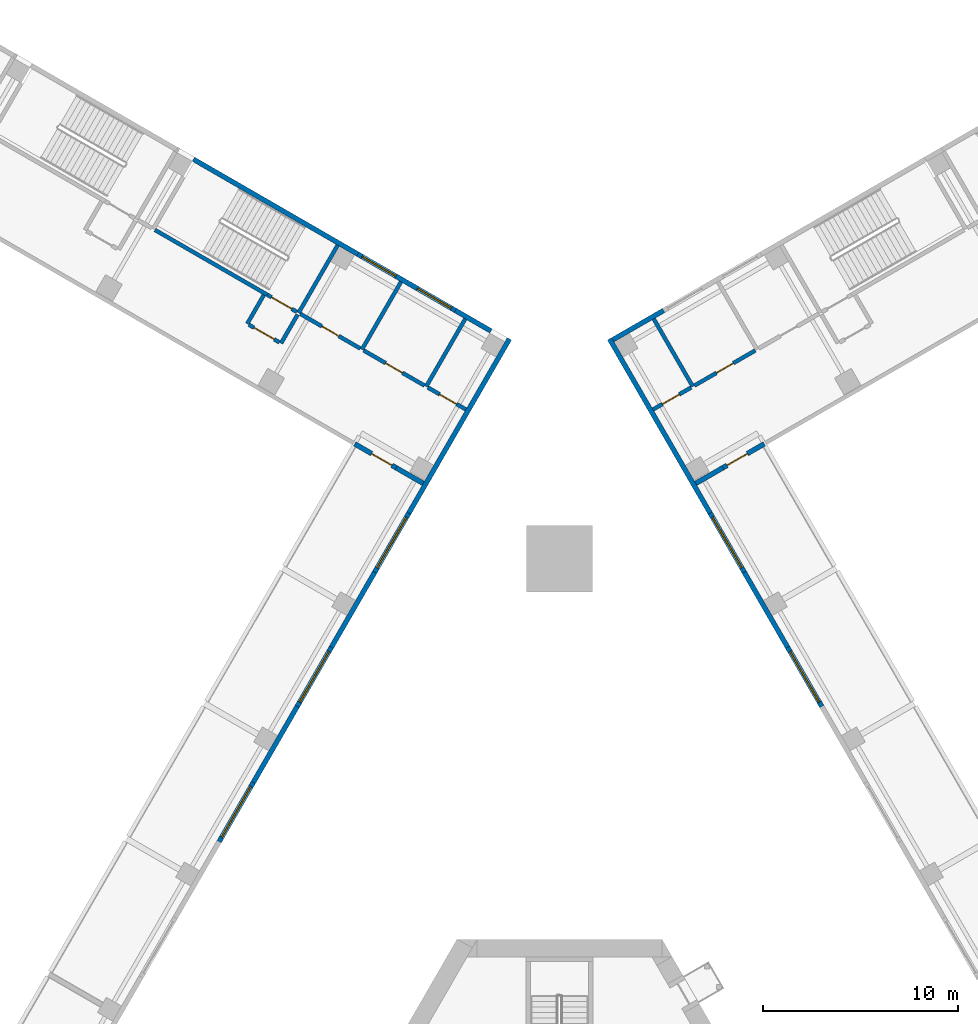
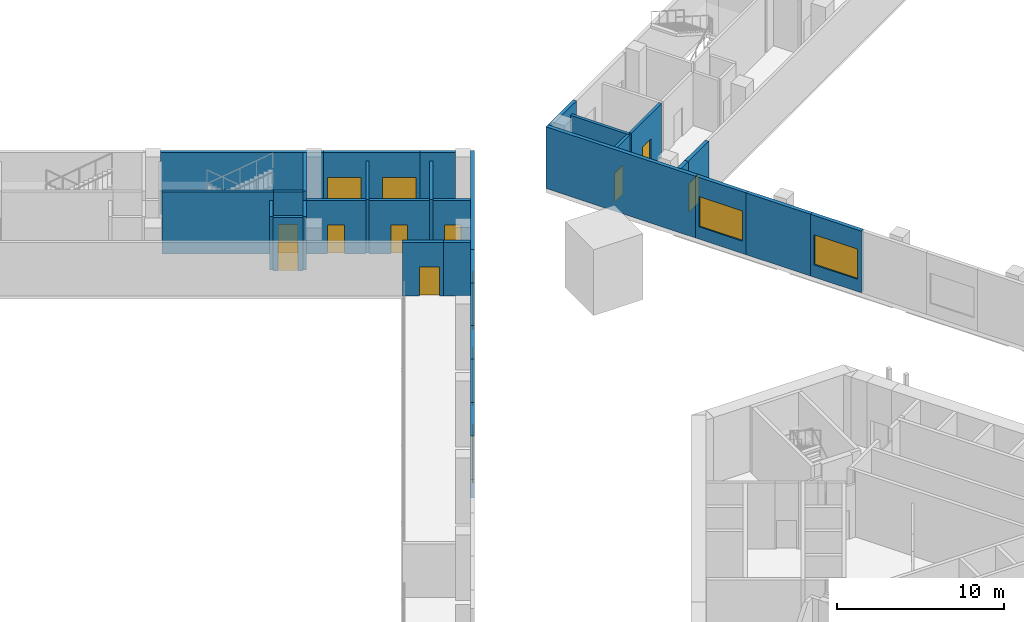
# One storey, part 14 of 28: 32 walls, 9 doors, 7 windows, 16 openings.
"""IFC4 building model written with IfcOpenShell, lengths in metres."""

from ifc_helpers import new_model, si_unit, direction, frame, frame_2d, origin, place, context, subcontext, project, spatial, rectangle, extrude, material, layer, layer_set, type_object, element, fill, save


model = new_model("IFC4")

# Units and contexts
model_context = context("Model", 3, precision=1e-05, world=origin(), true_north=direction((0.0, 1.0)))
body_context = subcontext(model_context, "Body", "Model", "MODEL_VIEW")
ifc_project = project(units=[si_unit("LENGTHUNIT", "METRE"), si_unit("AREAUNIT", "SQUARE_METRE"), si_unit("VOLUMEUNIT", "CUBIC_METRE"), si_unit("PLANEANGLEUNIT", "RADIAN"), si_unit("MASSUNIT", "GRAM", prefix="KILO")], contexts=[model_context])

# Site, building, storey
site_placement = place(None, origin())
site = spatial("IfcSite", under=ifc_project, at=site_placement, CompositionType="ELEMENT")
building_placement = place(site_placement, origin())
building = spatial("IfcBuilding", under=site, at=building_placement, Name="Mestral Congress Tower", CompositionType="ELEMENT")
storey_placement = place(building_placement, frame((0.0, 0.0, 11.39990234375)))
storey = spatial("IfcBuildingStorey", under=building, at=storey_placement, Name="L02", CompositionType="ELEMENT", Elevation=11.39990234375)

# Wall, opening, window
ifc_material_1 = material(Name="Precast concrete C40/50 with limestone facing", Category="masonry")
ifc_layer_1 = layer(ifc_material_1, 0.25)
ifc_layer_set_1 = layer_set([ifc_layer_1], Name="Precast concrete C40/50 with limestone facing")
wall_type_1 = type_object("IfcWallType", Name="Podium external wall 250", PredefinedType="SOLIDWALL", material=ifc_layer_set_1)
wall_1_placement = place(storey_placement, frame((13.4375, 28.83154296875, 0.0), z_axis=(0.0, 0.0, 1.0), x_axis=(-0.500010275428, 0.866019471182, 0.0)))
wall_1 = element("IfcWall", 1, at=wall_1_placement, inside=storey, type_object=wall_type_1, Name="L02 external wall", PredefinedType="SOLIDWALL", context=body_context, shape_type="SweptSolid", body=[
    extrude(rectangle(XDim=3.5, YDim=0.25, at=frame_2d((1.75, 0.0))), origin(), (0.0, 0.0, 1.0), 4.5),
])
opening_1_placement = place(wall_1_placement, frame((0.25, 0.0, 0.89990234375)))
opening_1 = element("IfcOpeningElement", 2, at=opening_1_placement, cuts=wall_1, Name="Opening PW-3000x2200", PredefinedType="OPENING", context=body_context, shape_type="SweptSolid", body=[
    extrude(rectangle(XDim=3.0, YDim=2.199951171875, at=frame_2d((1.5, 1.10009765625))), frame((0.0, 0.135009765625, 0.0), z_axis=(0.0, -1.0, 0.0), x_axis=(1.0, 0.0, 0.0)), (0.0, 0.0, 1.0), 0.27001953125),
])
ifc_material_2 = material(Name="Aluminium frame, clear double glazing", Category="aluminium")
window_type_1 = type_object("IfcWindowType", Name="Podium window 3000x2200 sill 900", PartitioningType="SINGLE_PANEL", PredefinedType="WINDOW", material=ifc_material_2)
window_1_placement = place(opening_1_placement, origin())
window_1 = element("IfcWindow", 3, at=window_1_placement, inside=storey, type_object=window_type_1, Name="Window", OverallHeight=2.199951171875, OverallWidth=3.0, PartitioningType="SINGLE_PANEL", PredefinedType="WINDOW", context=body_context, shape_type="SweptSolid", body=[
    extrude(rectangle(XDim=3.0, YDim=2.199951171875, at=frame_2d((1.5, 1.10009765625))), frame((0.0, 0.030029296875, 0.0), z_axis=(0.0, -1.0, 0.0), x_axis=(1.0, 0.0, 0.0)), (0.0, 0.0, 1.0), 0.06005859375),
])
fill(opening_1, window_1)

# Wall
wall_2_placement = place(storey_placement, frame((11.6875, 31.862548828125, 0.0), z_axis=(0.0, 0.0, 1.0), x_axis=(-0.499990705068, 0.866030770149, 0.0)))
element("IfcWall", 4, at=wall_2_placement, inside=storey, type_object=wall_type_1, Name="L02 external wall", PredefinedType="SOLIDWALL", context=body_context, shape_type="SweptSolid", body=[
    extrude(rectangle(XDim=4.43798828125, YDim=0.25, at=frame_2d((2.218994140625, 0.0))), origin(), (0.0, 0.0, 1.0), 4.5),
])

# Wall, opening, window
wall_3_placement = place(storey_placement, frame((9.468505859375, 35.7060546875, 0.0), z_axis=(0.0, 0.0, 1.0), x_axis=(-0.500010275428, 0.866019471182, 0.0)))
wall_3 = element("IfcWall", 5, at=wall_3_placement, inside=storey, type_object=wall_type_1, Name="L02 external wall", PredefinedType="SOLIDWALL", context=body_context, shape_type="SweptSolid", body=[
    extrude(rectangle(XDim=3.5, YDim=0.25, at=frame_2d((1.75, 0.0))), origin(), (0.0, 0.0, 1.0), 4.5),
])
opening_2_placement = place(wall_3_placement, frame((0.25, 0.0, 0.89990234375)))
opening_2 = element("IfcOpeningElement", 6, at=opening_2_placement, cuts=wall_3, Name="Opening PW-3000x2200", PredefinedType="OPENING", context=body_context, shape_type="SweptSolid", body=[
    extrude(rectangle(XDim=3.0, YDim=2.199951171875, at=frame_2d((1.5, 1.10009765625))), frame((0.0, 0.135009765625, 0.0), z_axis=(0.0, -1.0, 0.0), x_axis=(1.0, 0.0, 0.0)), (0.0, 0.0, 1.0), 0.27001953125),
])
window_2_placement = place(opening_2_placement, origin())
window_2 = element("IfcWindow", 7, at=window_2_placement, inside=storey, type_object=window_type_1, Name="Window", OverallHeight=2.199951171875, OverallWidth=3.0, PartitioningType="SINGLE_PANEL", PredefinedType="WINDOW", context=body_context, shape_type="SweptSolid", body=[
    extrude(rectangle(XDim=3.0, YDim=2.199951171875, at=frame_2d((1.5, 1.10009765625))), frame((0.0, 0.030029296875, 0.0), z_axis=(0.0, -1.0, 0.0), x_axis=(1.0, 0.0, 0.0)), (0.0, 0.0, 1.0), 0.06005859375),
])
fill(opening_2, window_2)

# Walls
wall_4_placement = place(storey_placement, frame((7.718505859375, 38.737060546875, 0.0), z_axis=(0.0, 0.0, 1.0), x_axis=(-0.500001855621, 0.866024332438, 0.0)))
element("IfcWall", 8, at=wall_4_placement, inside=storey, type_object=wall_type_1, Name="L02 external wall", PredefinedType="SOLIDWALL", context=body_context, shape_type="SweptSolid", body=[
    extrude(rectangle(XDim=10.31201171875, YDim=0.25, at=frame_2d((5.156005859375, 0.0))), origin(), (0.0, 0.0, 1.0), 4.5),
])
wall_5_placement = place(storey_placement, frame((2.7333984375, 47.621826171875, 0.0), z_axis=(0.0, 0.0, 1.0), x_axis=(0.866010750942, 0.50002537861, 0.0)))
element("IfcWall", 9, at=wall_5_placement, inside=storey, type_object=wall_type_1, Name="L02 external wall", PredefinedType="SOLIDWALL", context=body_context, shape_type="SweptSolid", body=[
    extrude(rectangle(XDim=2.999755859375, YDim=0.25, at=frame_2d((1.5, 0.0))), origin(), (0.0, 0.0, 1.0), 4.5),
])
wall_6_placement = place(storey_placement, frame((-2.5625, 47.66748046875, 0.0), z_axis=(0.0, 0.0, 1.0), x_axis=(-0.500001855621, -0.866024332438, 0.0)))
element("IfcWall", 10, at=wall_6_placement, inside=storey, type_object=wall_type_1, Name="L02 external wall", PredefinedType="SOLIDWALL", context=body_context, shape_type="SweptSolid", body=[
    extrude(rectangle(XDim=10.31201171875, YDim=0.25, at=frame_2d((5.156005859375, 0.0))), origin(), (0.0, 0.0, 1.0), 4.5),
])

# Wall, opening, window
wall_7_placement = place(storey_placement, frame((-7.718505859375, 38.737060546875, 0.0), z_axis=(0.0, 0.0, 1.0), x_axis=(-0.500010275428, -0.866019471182, 0.0)))
wall_7 = element("IfcWall", 11, at=wall_7_placement, inside=storey, type_object=wall_type_1, Name="L02 external wall", PredefinedType="SOLIDWALL", context=body_context, shape_type="SweptSolid", body=[
    extrude(rectangle(XDim=3.5, YDim=0.25, at=frame_2d((1.75, 0.0))), origin(), (0.0, 0.0, 1.0), 4.5),
])
opening_3_placement = place(wall_7_placement, frame((0.25, 0.0, 0.89990234375)))
opening_3 = element("IfcOpeningElement", 12, at=opening_3_placement, cuts=wall_7, Name="Opening PW-3000x2200", PredefinedType="OPENING", context=body_context, shape_type="SweptSolid", body=[
    extrude(rectangle(XDim=3.0, YDim=2.199951171875, at=frame_2d((1.5, 1.10009765625))), frame((0.0, 0.135009765625, 0.0), z_axis=(0.0, -1.0, 0.0), x_axis=(1.0, 0.0, 0.0)), (0.0, 0.0, 1.0), 0.27001953125),
])
window_3_placement = place(opening_3_placement, origin())
window_3 = element("IfcWindow", 13, at=window_3_placement, inside=storey, type_object=window_type_1, Name="Window", OverallHeight=2.199951171875, OverallWidth=3.0, PartitioningType="SINGLE_PANEL", PredefinedType="WINDOW", context=body_context, shape_type="SweptSolid", body=[
    extrude(rectangle(XDim=3.0, YDim=2.199951171875, at=frame_2d((1.5, 1.10009765625))), frame((0.0, 0.030029296875, 0.0), z_axis=(0.0, -1.0, 0.0), x_axis=(1.0, 0.0, 0.0)), (0.0, 0.0, 1.0), 0.06005859375),
])
fill(opening_3, window_3)

# Wall
wall_8_placement = place(storey_placement, frame((-9.468505859375, 35.7060546875, 0.0), z_axis=(0.0, 0.0, 1.0), x_axis=(-0.499990705068, -0.866030770149, 0.0)))
element("IfcWall", 14, at=wall_8_placement, inside=storey, type_object=wall_type_1, Name="L02 external wall", PredefinedType="SOLIDWALL", context=body_context, shape_type="SweptSolid", body=[
    extrude(rectangle(XDim=4.43798828125, YDim=0.25, at=frame_2d((2.218994140625, 0.0))), origin(), (0.0, 0.0, 1.0), 4.5),
])

# Wall, opening, window
wall_9_placement = place(storey_placement, frame((-11.6875, 31.862548828125, 0.0), z_axis=(0.0, 0.0, 1.0), x_axis=(-0.499980071345, -0.866036909293, 0.0)))
wall_9 = element("IfcWall", 15, at=wall_9_placement, inside=storey, type_object=wall_type_1, Name="L02 external wall", PredefinedType="SOLIDWALL", context=body_context, shape_type="SweptSolid", body=[
    extrude(rectangle(XDim=3.500244140625, YDim=0.25, at=frame_2d((1.75, 0.0))), origin(), (0.0, 0.0, 1.0), 4.5),
])
opening_4_placement = place(wall_9_placement, frame((0.25, 0.0, 0.89990234375)))
opening_4 = element("IfcOpeningElement", 16, at=opening_4_placement, cuts=wall_9, Name="Opening PW-3000x2200", PredefinedType="OPENING", context=body_context, shape_type="SweptSolid", body=[
    extrude(rectangle(XDim=3.0, YDim=2.199951171875, at=frame_2d((1.5, 1.10009765625))), frame((0.0, 0.135009765625, 0.0), z_axis=(0.0, -1.0, 0.0), x_axis=(1.0, 0.0, 0.0)), (0.0, 0.0, 1.0), 0.27001953125),
])
window_4_placement = place(opening_4_placement, origin())
window_4 = element("IfcWindow", 17, at=window_4_placement, inside=storey, type_object=window_type_1, Name="Window", OverallHeight=2.199951171875, OverallWidth=3.0, PartitioningType="SINGLE_PANEL", PredefinedType="WINDOW", context=body_context, shape_type="SweptSolid", body=[
    extrude(rectangle(XDim=3.0, YDim=2.199951171875, at=frame_2d((1.5, 1.10009765625))), frame((0.0, 0.030029296875, 0.0), z_axis=(0.0, -1.0, 0.0), x_axis=(1.0, 0.0, 0.0)), (0.0, 0.0, 1.0), 0.06005859375),
])
fill(opening_4, window_4)

# Wall
wall_10_placement = place(storey_placement, frame((-13.4375, 28.831298828125, 0.0), z_axis=(0.0, 0.0, 1.0), x_axis=(-0.500013631625, -0.866017533419, 0.0)))
element("IfcWall", 18, at=wall_10_placement, inside=storey, type_object=wall_type_1, Name="L02 external wall", PredefinedType="SOLIDWALL", context=body_context, shape_type="SweptSolid", body=[
    extrude(rectangle(XDim=4.499755859375, YDim=0.25, at=frame_2d((2.25, 0.0))), origin(), (0.0, 0.0, 1.0), 4.5),
])

# Wall, opening, window
wall_11_placement = place(storey_placement, frame((-15.6875, 24.934326171875, 0.0), z_axis=(0.0, 0.0, 1.0), x_axis=(-0.500010275428, -0.866019471182, 0.0)))
wall_11 = element("IfcWall", 19, at=wall_11_placement, inside=storey, type_object=wall_type_1, Name="L02 external wall", PredefinedType="SOLIDWALL", context=body_context, shape_type="SweptSolid", body=[
    extrude(rectangle(XDim=3.5, YDim=0.25, at=frame_2d((1.75, 0.0))), origin(), (0.0, 0.0, 1.0), 4.5),
])
opening_5_placement = place(wall_11_placement, frame((0.25, 0.0, 0.89990234375)))
opening_5 = element("IfcOpeningElement", 20, at=opening_5_placement, cuts=wall_11, Name="Opening PW-3000x2200", PredefinedType="OPENING", context=body_context, shape_type="SweptSolid", body=[
    extrude(rectangle(XDim=3.0, YDim=2.199951171875, at=frame_2d((1.5, 1.10009765625))), frame((0.0, 0.135009765625, 0.0), z_axis=(0.0, -1.0, 0.0), x_axis=(1.0, 0.0, 0.0)), (0.0, 0.0, 1.0), 0.27001953125),
])
window_5_placement = place(opening_5_placement, origin())
window_5 = element("IfcWindow", 21, at=window_5_placement, inside=storey, type_object=window_type_1, Name="Window", OverallHeight=2.199951171875, OverallWidth=3.0, PartitioningType="SINGLE_PANEL", PredefinedType="WINDOW", context=body_context, shape_type="SweptSolid", body=[
    extrude(rectangle(XDim=3.0, YDim=2.199951171875, at=frame_2d((1.5, 1.10009765625))), frame((0.0, 0.030029296875, 0.0), z_axis=(0.0, -1.0, 0.0), x_axis=(1.0, 0.0, 0.0)), (0.0, 0.0, 1.0), 0.06005859375),
])
fill(opening_5, window_5)

# Wall
wall_12_placement = place(storey_placement, frame((-5.331298828125, 49.12158203125, 0.0), z_axis=(0.0, 0.0, 1.0), x_axis=(0.866059744384, -0.49994051562, 0.0)))
element("IfcWall", 22, at=wall_12_placement, inside=storey, type_object=wall_type_1, Name="L02 external wall", PredefinedType="SOLIDWALL", context=body_context, shape_type="SweptSolid", body=[
    extrude(rectangle(XDim=2.099853515625, YDim=0.25, at=frame_2d((1.0498046875, 0.0))), origin(), (0.0, 0.0, 1.0), 4.5),
])

# Wall, openings, windows
wall_13_placement = place(storey_placement, frame((-10.332763671875, 52.00927734375, 0.0), z_axis=(0.0, 0.0, 1.0), x_axis=(0.866018038015, -0.50001275767, 0.0)))
wall_13 = element("IfcWall", 23, at=wall_13_placement, inside=storey, type_object=wall_type_1, Name="L02 external wall", PredefinedType="SOLIDWALL", context=body_context, shape_type="SweptSolid", body=[
    extrude(rectangle(XDim=5.775146484375, YDim=0.25, at=frame_2d((2.8876953125, 0.0))), origin(), (0.0, 0.0, 1.0), 4.5),
])
opening_6_placement = place(wall_13_placement, frame((3.52490234375, 0.0, 0.89990234375)))
opening_6 = element("IfcOpeningElement", 24, at=opening_6_placement, cuts=wall_13, Name="Opening PW-2000x1800", PredefinedType="OPENING", context=body_context, shape_type="SweptSolid", body=[
    extrude(rectangle(XDim=2.0, YDim=1.800048828125, at=frame_2d((1.0, 0.89990234375))), frame((0.0, 0.135009765625, 0.0), z_axis=(0.0, -1.0, 0.0), x_axis=(1.0, 0.0, 0.0)), (0.0, 0.0, 1.0), 0.27001953125),
])
opening_7_placement = place(wall_13_placement, frame((0.25, 0.0, 0.89990234375)))
opening_7 = element("IfcOpeningElement", 25, at=opening_7_placement, cuts=wall_13, Name="Opening PW-2000x1800", PredefinedType="OPENING", context=body_context, shape_type="SweptSolid", body=[
    extrude(rectangle(XDim=2.0, YDim=1.800048828125, at=frame_2d((1.0, 0.89990234375))), frame((0.0, 0.135009765625, 0.0), z_axis=(0.0, -1.0, 0.0), x_axis=(1.0, 0.0, 0.0)), (0.0, 0.0, 1.0), 0.27001953125),
])
window_type_2 = type_object("IfcWindowType", Name="Podium window 2000x1800 sill 900", PartitioningType="SINGLE_PANEL", PredefinedType="WINDOW", material=ifc_material_2)
window_6_placement = place(opening_6_placement, origin())
window_6 = element("IfcWindow", 26, at=window_6_placement, inside=storey, type_object=window_type_2, Name="Window", OverallHeight=1.800048828125, OverallWidth=2.0, PartitioningType="SINGLE_PANEL", PredefinedType="WINDOW", context=body_context, shape_type="SweptSolid", body=[
    extrude(rectangle(XDim=2.0, YDim=1.800048828125, at=frame_2d((1.0, 0.89990234375))), frame((0.0, 0.030029296875, 0.0), z_axis=(0.0, -1.0, 0.0), x_axis=(1.0, 0.0, 0.0)), (0.0, 0.0, 1.0), 0.06005859375),
])
fill(opening_6, window_6)
window_7_placement = place(opening_7_placement, origin())
window_7 = element("IfcWindow", 27, at=window_7_placement, inside=storey, type_object=window_type_2, Name="Window", OverallHeight=1.800048828125, OverallWidth=2.0, PartitioningType="SINGLE_PANEL", PredefinedType="WINDOW", context=body_context, shape_type="SweptSolid", body=[
    extrude(rectangle(XDim=2.0, YDim=1.800048828125, at=frame_2d((1.0, 0.89990234375))), frame((0.0, 0.030029296875, 0.0), z_axis=(0.0, -1.0, 0.0), x_axis=(1.0, 0.0, 0.0)), (0.0, 0.0, 1.0), 0.06005859375),
])
fill(opening_7, window_7)

# Walls
wall_14_placement = place(storey_placement, frame((-18.7548828125, 56.87158203125, 0.0), z_axis=(0.0, 0.0, 1.0), x_axis=(0.866034667978, -0.499983953603, 0.0)))
element("IfcWall", 28, at=wall_14_placement, inside=storey, type_object=wall_type_1, Name="L02 external wall", PredefinedType="SOLIDWALL", context=body_context, shape_type="SweptSolid", body=[
    extrude(rectangle(XDim=9.724853515625, YDim=0.25, at=frame_2d((4.8623046875, 0.0))), origin(), (0.0, 0.0, 1.0), 4.5),
])
ifc_material_3 = material(Name="Masonry block wall", Category="masonry")
ifc_layer_2 = layer(ifc_material_3, 0.25)
ifc_layer_set_2 = layer_set([ifc_layer_2], Name="Masonry block wall")
wall_type_2 = type_object("IfcWallType", Name="Podium hall wall 250 EI 180", PredefinedType="SOLIDWALL", material=ifc_layer_set_2)
wall_15_placement = place(storey_placement, frame((6.9833984375, 40.260498046875, 0.0), z_axis=(0.0, 0.0, 1.0), x_axis=(0.865989903783, 0.500061482766, 0.0)))
element("IfcWall", 29, at=wall_15_placement, inside=storey, type_object=wall_type_2, Name="L02 partition", PredefinedType="SOLIDWALL", context=body_context, shape_type="SweptSolid", body=[
    extrude(rectangle(XDim=1.599853515625, YDim=0.25, at=frame_2d((0.7998046875, 0.0))), origin(), (0.0, 0.0, 1.0), 3.900146484375),
])

# Wall, opening, door
wall_16_placement = place(storey_placement, frame((8.368896484375, 41.060546875, 0.0), z_axis=(0.0, 0.0, 1.0), x_axis=(0.866014668023, 0.500018594424, 0.0)))
wall_16 = element("IfcWall", 30, at=wall_16_placement, inside=storey, type_object=wall_type_2, Name="L02 partition", PredefinedType="SOLIDWALL", context=body_context, shape_type="SweptSolid", body=[
    extrude(rectangle(XDim=2.4501953125, YDim=0.25, at=frame_2d((1.22509765625, 0.0))), origin(), (0.0, 0.0, 1.0), 3.900146484375),
])
opening_8_placement = place(wall_16_placement, frame((0.25, 0.0, 0.0)))
opening_8 = element("IfcOpeningElement", 31, at=opening_8_placement, cuts=wall_16, Name="Opening P02-019", PredefinedType="OPENING", context=body_context, shape_type="SweptSolid", body=[
    extrude(rectangle(XDim=1.199951171875, YDim=2.10009765625, at=frame_2d((0.60009765625, 1.050048828125))), frame((0.0, 0.135009765625, 0.0), z_axis=(0.0, -1.0, 0.0), x_axis=(1.0, 0.0, 0.0)), (0.0, 0.0, 1.0), 0.27001953125),
])
ifc_material_4 = material(Name="Fire-rated steel door set", Category="steel")
door_type_1 = type_object("IfcDoorType", Name="Podium hall door 1200x2100 EI2 90-C5", OperationType="SINGLE_SWING_LEFT", PredefinedType="DOOR", material=ifc_material_4)
door_1_placement = place(opening_8_placement, origin())
door_1 = element("IfcDoor", 32, at=door_1_placement, inside=storey, type_object=door_type_1, Name="Door P02-019", OperationType="SINGLE_SWING_LEFT", OverallHeight=2.10009765625, OverallWidth=1.199951171875, PredefinedType="DOOR", context=body_context, shape_type="SweptSolid", body=[
    extrude(rectangle(XDim=1.199951171875, YDim=2.10009765625, at=frame_2d((0.60009765625, 1.050048828125))), frame((0.0, 0.02490234375, 0.0), z_axis=(0.0, -1.0, 0.0), x_axis=(1.0, 0.0, 0.0)), (0.0, 0.0, 1.0), 0.050048828125),
])
fill(opening_8, door_1)

# Wall
wall_17_placement = place(storey_placement, frame((-6.9833984375, 40.260498046875, 0.0), z_axis=(0.0, 0.0, 1.0), x_axis=(-0.865989903783, 0.500061482766, 0.0)))
element("IfcWall", 33, at=wall_17_placement, inside=storey, type_object=wall_type_2, Name="L02 partition", PredefinedType="SOLIDWALL", context=body_context, shape_type="SweptSolid", body=[
    extrude(rectangle(XDim=1.599853515625, YDim=0.25, at=frame_2d((0.7998046875, 0.0))), origin(), (0.0, 0.0, 1.0), 3.900146484375),
])

# Wall, opening, door
wall_18_placement = place(storey_placement, frame((-10.49072265625, 42.285400390625, 0.0), z_axis=(0.0, 0.0, 1.0), x_axis=(0.866057815567, -0.499943856944, 0.0)))
wall_18 = element("IfcWall", 34, at=wall_18_placement, inside=storey, type_object=wall_type_2, Name="L02 partition", PredefinedType="SOLIDWALL", context=body_context, shape_type="SweptSolid", body=[
    extrude(rectangle(XDim=2.449951171875, YDim=0.25, at=frame_2d((1.22509765625, 0.0))), origin(), (0.0, 0.0, 1.0), 3.900146484375),
])
opening_9_placement = place(wall_18_placement, frame((1.0, 0.0, 0.0)))
opening_9 = element("IfcOpeningElement", 35, at=opening_9_placement, cuts=wall_18, Name="Opening P02-317", PredefinedType="OPENING", context=body_context, shape_type="SweptSolid", body=[
    extrude(rectangle(XDim=1.199951171875, YDim=2.10009765625, at=frame_2d((0.60009765625, 1.050048828125))), frame((0.0, 0.135009765625, 0.0), z_axis=(0.0, -1.0, 0.0), x_axis=(1.0, 0.0, 0.0)), (0.0, 0.0, 1.0), 0.27001953125),
])
door_2_placement = place(opening_9_placement, origin())
door_2 = element("IfcDoor", 36, at=door_2_placement, inside=storey, type_object=door_type_1, Name="Door P02-317", OperationType="SINGLE_SWING_LEFT", OverallHeight=2.10009765625, OverallWidth=1.199951171875, PredefinedType="DOOR", context=body_context, shape_type="SweptSolid", body=[
    extrude(rectangle(XDim=1.199951171875, YDim=2.10009765625, at=frame_2d((0.60009765625, 1.050048828125))), frame((0.0, 0.02490234375, 0.0), z_axis=(0.0, -1.0, 0.0), x_axis=(1.0, 0.0, 0.0)), (0.0, 0.0, 1.0), 0.050048828125),
])
fill(opening_9, door_2)

# Wall
ifc_layer_3 = layer(ifc_material_3, 0.199951171875)
ifc_layer_set_3 = layer_set([ifc_layer_3], Name="Masonry block wall")
wall_type_3 = type_object("IfcWallType", Name="Podium stair enclosure wall 200 EI 120 load-bearing", PredefinedType="SOLIDWALL", material=ifc_layer_set_3)
wall_19_placement = place(storey_placement, frame((-11.369384765625, 52.46337890625, 0.0), z_axis=(0.0, 0.0, 1.0), x_axis=(-0.50002537861, -0.866010750942, 0.0)))
element("IfcWall", 37, at=wall_19_placement, inside=storey, type_object=wall_type_3, Name="L02 partition", PredefinedType="SOLIDWALL", context=body_context, shape_type="SweptSolid", body=[
    extrude(rectangle(XDim=3.999755859375, YDim=0.199951171875, at=frame_2d((2.0, 0.0))), origin(), (0.0, 0.0, 1.0), 4.5),
])

# Wall, opening, door
wall_20_placement = place(storey_placement, frame((-14.9716796875, 49.92431640625, 0.0), z_axis=(0.0, 0.0, 1.0), x_axis=(0.866036909293, -0.499980071345, 0.0)))
wall_20 = element("IfcWall", 38, at=wall_20_placement, inside=storey, type_object=wall_type_3, Name="L02 partition", PredefinedType="SOLIDWALL", context=body_context, shape_type="SweptSolid", body=[
    extrude(rectangle(XDim=1.75, YDim=0.199951171875, at=frame_2d((0.875, 0.0))), origin(), (0.0, 0.0, 1.0), 4.5),
])
opening_10_placement = place(wall_20_placement, frame((0.25, 0.0, 0.0)))
opening_10 = element("IfcOpeningElement", 39, at=opening_10_placement, cuts=wall_20, Name="Opening P02-301", PredefinedType="OPENING", context=body_context, shape_type="SweptSolid", body=[
    extrude(rectangle(XDim=1.199951171875, YDim=2.10009765625, at=frame_2d((0.60009765625, 1.050048828125))), frame((0.0, 0.10986328125, 0.0), z_axis=(0.0, -1.0, 0.0), x_axis=(1.0, 0.0, 0.0)), (0.0, 0.0, 1.0), 0.219970703125),
])
door_type_2 = type_object("IfcDoorType", Name="Podium stair door 1200x2100 EI2 30-C5", OperationType="SINGLE_SWING_LEFT", PredefinedType="DOOR", material=ifc_material_4)
door_3_placement = place(opening_10_placement, origin())
door_3 = element("IfcDoor", 40, at=door_3_placement, inside=storey, type_object=door_type_2, Name="Door P02-301", OperationType="SINGLE_SWING_LEFT", OverallHeight=2.10009765625, OverallWidth=1.199951171875, PredefinedType="DOOR", context=body_context, shape_type="SweptSolid", body=[
    extrude(rectangle(XDim=1.199951171875, YDim=2.10009765625, at=frame_2d((0.60009765625, 1.050048828125))), frame((0.0, 0.02490234375, 0.0), z_axis=(0.0, -1.0, 0.0), x_axis=(1.0, 0.0, 0.0)), (0.0, 0.0, 1.0), 0.050048828125),
])
fill(opening_10, door_3)

# Walls
wall_21_placement = place(storey_placement, frame((-14.9716796875, 49.92431640625, 0.0), z_axis=(0.0, 0.0, 1.0), x_axis=(-0.86601134256, 0.500024353964, 0.0)))
element("IfcWall", 41, at=wall_21_placement, inside=storey, type_object=wall_type_3, Name="L02 partition", PredefinedType="SOLIDWALL", context=body_context, shape_type="SweptSolid", body=[
    extrude(rectangle(XDim=6.650146484375, YDim=0.199951171875, at=frame_2d((3.3251953125, 0.0))), origin(), (0.0, 0.0, 1.0), 4.5),
])
ifc_material_5 = material(Name="Fire-rated board partition")
ifc_layer_4 = layer(ifc_material_5, 0.199951171875)
ifc_layer_set_4 = layer_set([ifc_layer_4], Name="Fire-rated board partition")
wall_type_4 = type_object("IfcWallType", Name="Podium vestibule wall 200 EI 120", PredefinedType="PARTITIONING", material=ifc_layer_set_4)
wall_22_placement = place(storey_placement, frame((6.8310546875, 45.224365234375, 0.0), z_axis=(0.0, 0.0, 1.0), x_axis=(-0.49999894854, 0.866026010844, 0.0)))
element("IfcWall", 42, at=wall_22_placement, inside=storey, type_object=wall_type_4, Name="L02 partition", PredefinedType="PARTITIONING", context=body_context, shape_type="SweptSolid", body=[
    extrude(rectangle(XDim=4.0, YDim=0.199951171875, at=frame_2d((2.0, 0.0))), origin(), (0.0, 0.0, 1.0), 3.900146484375),
])

# Wall, opening, door
wall_23_placement = place(storey_placement, frame((4.7958984375, 44.04931640625, 0.0), z_axis=(0.0, 0.0, 1.0), x_axis=(0.866017533419, 0.500013631625, 0.0)))
wall_23 = element("IfcWall", 43, at=wall_23_placement, inside=storey, type_object=wall_type_4, Name="L02 partition", PredefinedType="PARTITIONING", context=body_context, shape_type="SweptSolid", body=[
    extrude(rectangle(XDim=2.25, YDim=0.199951171875, at=frame_2d((1.125, 0.0))), origin(), (0.0, 0.0, 1.0), 3.900146484375),
])
opening_11_placement = place(wall_23_placement, frame((0.550048828125, 0.0, 0.0)))
opening_11 = element("IfcOpeningElement", 44, at=opening_11_placement, cuts=wall_23, Name="Opening P02-024", PredefinedType="OPENING", context=body_context, shape_type="SweptSolid", body=[
    extrude(rectangle(XDim=1.0, YDim=2.10009765625, at=frame_2d((0.5, 1.050048828125))), frame((0.0, 0.10986328125, 0.0), z_axis=(0.0, -1.0, 0.0), x_axis=(1.0, 0.0, 0.0)), (0.0, 0.0, 1.0), 0.219970703125),
])
door_type_3 = type_object("IfcDoorType", Name="Podium room door 1000x2100 EI2 30-C5", OperationType="SINGLE_SWING_LEFT", PredefinedType="DOOR", material=ifc_material_4)
door_4_placement = place(opening_11_placement, origin())
door_4 = element("IfcDoor", 45, at=door_4_placement, inside=storey, type_object=door_type_3, Name="Door P02-024", OperationType="SINGLE_SWING_LEFT", OverallHeight=2.10009765625, OverallWidth=1.0, PredefinedType="DOOR", context=body_context, shape_type="SweptSolid", body=[
    extrude(rectangle(XDim=1.0, YDim=2.10009765625, at=frame_2d((0.5, 1.050048828125))), frame((0.0, 0.02490234375, 0.0), z_axis=(0.0, -1.0, 0.0), x_axis=(1.0, 0.0, 0.0)), (0.0, 0.0, 1.0), 0.050048828125),
])
fill(opening_11, door_4)

wall_24_placement = place(storey_placement, frame((6.91748046875, 45.2744140625, 0.0), z_axis=(0.0, 0.0, 1.0), x_axis=(0.866035395735, 0.499982693035, 0.0)))
wall_24 = element("IfcWall", 46, at=wall_24_placement, inside=storey, type_object=wall_type_4, Name="L02 partition", PredefinedType="PARTITIONING", context=body_context, shape_type="SweptSolid", body=[
    extrude(rectangle(XDim=3.600341796875, YDim=0.199951171875, at=frame_2d((1.80029296875, 0.0))), origin(), (0.0, 0.0, 1.0), 3.900146484375),
])
opening_12_placement = place(wall_24_placement, frame((1.300048828125, 0.0, 0.0)))
opening_12 = element("IfcOpeningElement", 47, at=opening_12_placement, cuts=wall_24, Name="Opening P02-029", PredefinedType="OPENING", context=body_context, shape_type="SweptSolid", body=[
    extrude(rectangle(XDim=1.0, YDim=2.10009765625, at=frame_2d((0.5, 1.050048828125))), frame((0.0, 0.10986328125, 0.0), z_axis=(0.0, -1.0, 0.0), x_axis=(1.0, 0.0, 0.0)), (0.0, 0.0, 1.0), 0.219970703125),
])
door_5_placement = place(opening_12_placement, origin())
door_5 = element("IfcDoor", 48, at=door_5_placement, inside=storey, type_object=door_type_3, Name="Door P02-029", OperationType="SINGLE_SWING_LEFT", OverallHeight=2.10009765625, OverallWidth=1.0, PredefinedType="DOOR", context=body_context, shape_type="SweptSolid", body=[
    extrude(rectangle(XDim=1.0, YDim=2.10009765625, at=frame_2d((0.5, 1.050048828125))), frame((0.0, 0.02490234375, 0.0), z_axis=(0.0, -1.0, 0.0), x_axis=(1.0, 0.0, 0.0)), (0.0, 0.0, 1.0), 0.050048828125),
])
fill(opening_12, door_5)

# Walls
wall_25_placement = place(storey_placement, frame((-13.41943359375, 48.912841796875, 0.0), z_axis=(0.0, 0.0, 1.0), x_axis=(-0.500000056704, -0.866025371046, 0.0)))
element("IfcWall", 49, at=wall_25_placement, inside=storey, type_object=wall_type_4, Name="L02 partition", PredefinedType="PARTITIONING", context=body_context, shape_type="SweptSolid", body=[
    extrude(rectangle(XDim=1.7001953125, YDim=0.199951171875, at=frame_2d((0.85009765625, 0.0))), origin(), (0.0, 0.0, 1.0), 3.900146484375),
])
wall_26_placement = place(storey_placement, frame((-15.151611328125, 49.912841796875, 0.0), z_axis=(0.0, 0.0, 1.0), x_axis=(-0.499892348375, -0.866087547558, 0.0)))
element("IfcWall", 50, at=wall_26_placement, inside=storey, type_object=wall_type_4, Name="L02 partition", PredefinedType="PARTITIONING", context=body_context, shape_type="SweptSolid", body=[
    extrude(rectangle(XDim=1.699951171875, YDim=0.199951171875, at=frame_2d((0.85009765625, 0.0))), origin(), (0.0, 0.0, 1.0), 3.900146484375),
])

# Wall, opening, door
wall_27_placement = place(storey_placement, frame((-15.914794921875, 48.390380859375, 0.0), z_axis=(0.0, 0.0, 1.0), x_axis=(0.866013897511, -0.50001992892, 0.0)))
wall_27 = element("IfcWall", 51, at=wall_27_placement, inside=storey, type_object=wall_type_4, Name="L02 partition", PredefinedType="PARTITIONING", context=body_context, shape_type="SweptSolid", body=[
    extrude(rectangle(XDim=1.7998046875, YDim=0.199951171875, at=frame_2d((0.89990234375, 0.0))), origin(), (0.0, 0.0, 1.0), 3.900146484375),
])
opening_13_placement = place(wall_27_placement, frame((0.300048828125, 0.0, 0.0)))
opening_13 = element("IfcOpeningElement", 52, at=opening_13_placement, cuts=wall_27, Name="Opening P02-311", PredefinedType="OPENING", context=body_context, shape_type="SweptSolid", body=[
    extrude(rectangle(XDim=1.199951171875, YDim=2.10009765625, at=frame_2d((0.60009765625, 1.050048828125))), frame((0.0, 0.10986328125, 0.0), z_axis=(0.0, -1.0, 0.0), x_axis=(1.0, 0.0, 0.0)), (0.0, 0.0, 1.0), 0.219970703125),
])
door_type_4 = type_object("IfcDoorType", Name="Podium vestibule door 1200x2100 EI2 30-C5", OperationType="SINGLE_SWING_LEFT", PredefinedType="DOOR", material=ifc_material_4)
door_6_placement = place(opening_13_placement, origin())
door_6 = element("IfcDoor", 53, at=door_6_placement, inside=storey, type_object=door_type_4, Name="Door P02-311", OperationType="SINGLE_SWING_LEFT", OverallHeight=2.10009765625, OverallWidth=1.199951171875, PredefinedType="DOOR", context=body_context, shape_type="SweptSolid", body=[
    extrude(rectangle(XDim=1.199951171875, YDim=2.10009765625, at=frame_2d((0.60009765625, 1.050048828125))), frame((0.0, 0.02490234375, 0.0), z_axis=(0.0, -1.0, 0.0), x_axis=(1.0, 0.0, 0.0)), (0.0, 0.0, 1.0), 0.050048828125),
])
fill(opening_13, door_6)

# Wall
wall_28_placement = place(storey_placement, frame((-4.8310546875, 48.6884765625, 0.0), z_axis=(0.0, 0.0, 1.0), x_axis=(-0.49999894854, -0.866026010844, 0.0)))
element("IfcWall", 54, at=wall_28_placement, inside=storey, type_object=wall_type_4, Name="L02 partition", PredefinedType="PARTITIONING", context=body_context, shape_type="SweptSolid", body=[
    extrude(rectangle(XDim=4.0, YDim=0.199951171875, at=frame_2d((2.0, 0.0))), origin(), (0.0, 0.0, 1.0), 3.900146484375),
])

# Wall, opening, door
wall_29_placement = place(storey_placement, frame((-6.744384765625, 45.17431640625, 0.0), z_axis=(0.0, 0.0, 1.0), x_axis=(0.866017533419, -0.500013631625, 0.0)))
wall_29 = element("IfcWall", 55, at=wall_29_placement, inside=storey, type_object=wall_type_4, Name="L02 partition", PredefinedType="PARTITIONING", context=body_context, shape_type="SweptSolid", body=[
    extrude(rectangle(XDim=2.25, YDim=0.199951171875, at=frame_2d((1.125, 0.0))), origin(), (0.0, 0.0, 1.0), 3.900146484375),
])
opening_14_placement = place(wall_29_placement, frame((0.699951171875, 0.0, 0.0)))
opening_14 = element("IfcOpeningElement", 56, at=opening_14_placement, cuts=wall_29, Name="Opening P02-321", PredefinedType="OPENING", context=body_context, shape_type="SweptSolid", body=[
    extrude(rectangle(XDim=1.0, YDim=2.10009765625, at=frame_2d((0.5, 1.050048828125))), frame((0.0, 0.10986328125, 0.0), z_axis=(0.0, -1.0, 0.0), x_axis=(1.0, 0.0, 0.0)), (0.0, 0.0, 1.0), 0.219970703125),
])
door_7_placement = place(opening_14_placement, origin())
door_7 = element("IfcDoor", 57, at=door_7_placement, inside=storey, type_object=door_type_3, Name="Door P02-321", OperationType="SINGLE_SWING_LEFT", OverallHeight=2.10009765625, OverallWidth=1.0, PredefinedType="DOOR", context=body_context, shape_type="SweptSolid", body=[
    extrude(rectangle(XDim=1.0, YDim=2.10009765625, at=frame_2d((0.5, 1.050048828125))), frame((0.0, 0.02490234375, 0.0), z_axis=(0.0, -1.0, 0.0), x_axis=(1.0, 0.0, 0.0)), (0.0, 0.0, 1.0), 0.050048828125),
])
fill(opening_14, door_7)

# Wall
wall_30_placement = place(storey_placement, frame((-8.121826171875, 50.58837890625, 0.0), z_axis=(0.0, 0.0, 1.0), x_axis=(-0.50002537861, -0.866010750942, 0.0)))
element("IfcWall", 58, at=wall_30_placement, inside=storey, type_object=wall_type_4, Name="L02 partition", PredefinedType="PARTITIONING", context=body_context, shape_type="SweptSolid", body=[
    extrude(rectangle(XDim=3.999755859375, YDim=0.199951171875, at=frame_2d((2.0, 0.0))), origin(), (0.0, 0.0, 1.0), 3.900146484375),
])

# Wall, opening, door
wall_31_placement = place(storey_placement, frame((-10.035400390625, 47.074462890625, 0.0), z_axis=(0.0, 0.0, 1.0), x_axis=(0.866035395735, -0.499982693035, 0.0)))
wall_31 = element("IfcWall", 59, at=wall_31_placement, inside=storey, type_object=wall_type_4, Name="L02 partition", PredefinedType="PARTITIONING", context=body_context, shape_type="SweptSolid", body=[
    extrude(rectangle(XDim=3.600341796875, YDim=0.199951171875, at=frame_2d((1.80029296875, 0.0))), origin(), (0.0, 0.0, 1.0), 3.900146484375),
])
opening_15_placement = place(wall_31_placement, frame((1.300048828125, 0.0, 0.0)))
opening_15 = element("IfcOpeningElement", 60, at=opening_15_placement, cuts=wall_31, Name="Opening P02-327", PredefinedType="OPENING", context=body_context, shape_type="SweptSolid", body=[
    extrude(rectangle(XDim=1.0, YDim=2.10009765625, at=frame_2d((0.5, 1.050048828125))), frame((0.0, 0.10986328125, 0.0), z_axis=(0.0, -1.0, 0.0), x_axis=(1.0, 0.0, 0.0)), (0.0, 0.0, 1.0), 0.219970703125),
])
door_8_placement = place(opening_15_placement, origin())
door_8 = element("IfcDoor", 61, at=door_8_placement, inside=storey, type_object=door_type_3, Name="Door P02-327", OperationType="SINGLE_SWING_LEFT", OverallHeight=2.10009765625, OverallWidth=1.0, PredefinedType="DOOR", context=body_context, shape_type="SweptSolid", body=[
    extrude(rectangle(XDim=1.0, YDim=2.10009765625, at=frame_2d((0.5, 1.050048828125))), frame((0.0, 0.02490234375, 0.0), z_axis=(0.0, -1.0, 0.0), x_axis=(1.0, 0.0, 0.0)), (0.0, 0.0, 1.0), 0.050048828125),
])
fill(opening_15, door_8)

wall_32_placement = place(storey_placement, frame((-13.282958984375, 48.949462890625, 0.0), z_axis=(0.0, 0.0, 1.0), x_axis=(0.866012656725, -0.500022077904, 0.0)))
wall_32 = element("IfcWall", 62, at=wall_32_placement, inside=storey, type_object=wall_type_4, Name="L02 partition", PredefinedType="PARTITIONING", context=body_context, shape_type="SweptSolid", body=[
    extrude(rectangle(XDim=3.550048828125, YDim=0.199951171875, at=frame_2d((1.77490234375, 0.0))), origin(), (0.0, 0.0, 1.0), 3.900146484375),
])
opening_16_placement = place(wall_32_placement, frame((1.27490234375, 0.0, 0.0)))
opening_16 = element("IfcOpeningElement", 63, at=opening_16_placement, cuts=wall_32, Name="Opening P02-328", PredefinedType="OPENING", context=body_context, shape_type="SweptSolid", body=[
    extrude(rectangle(XDim=1.0, YDim=2.10009765625, at=frame_2d((0.5, 1.050048828125))), frame((0.0, 0.10986328125, 0.0), z_axis=(0.0, -1.0, 0.0), x_axis=(1.0, 0.0, 0.0)), (0.0, 0.0, 1.0), 0.219970703125),
])
door_9_placement = place(opening_16_placement, origin())
door_9 = element("IfcDoor", 64, at=door_9_placement, inside=storey, type_object=door_type_3, Name="Door P02-328", OperationType="SINGLE_SWING_LEFT", OverallHeight=2.10009765625, OverallWidth=1.0, PredefinedType="DOOR", context=body_context, shape_type="SweptSolid", body=[
    extrude(rectangle(XDim=1.0, YDim=2.10009765625, at=frame_2d((0.5, 1.050048828125))), frame((0.0, 0.02490234375, 0.0), z_axis=(0.0, -1.0, 0.0), x_axis=(1.0, 0.0, 0.0)), (0.0, 0.0, 1.0), 0.050048828125),
])
fill(opening_16, door_9)

save(model, "model.ifc")
